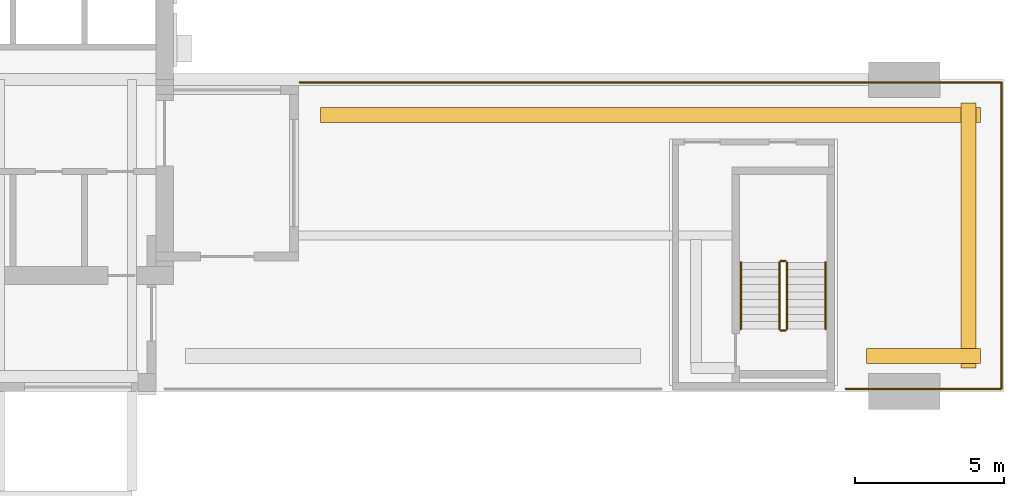
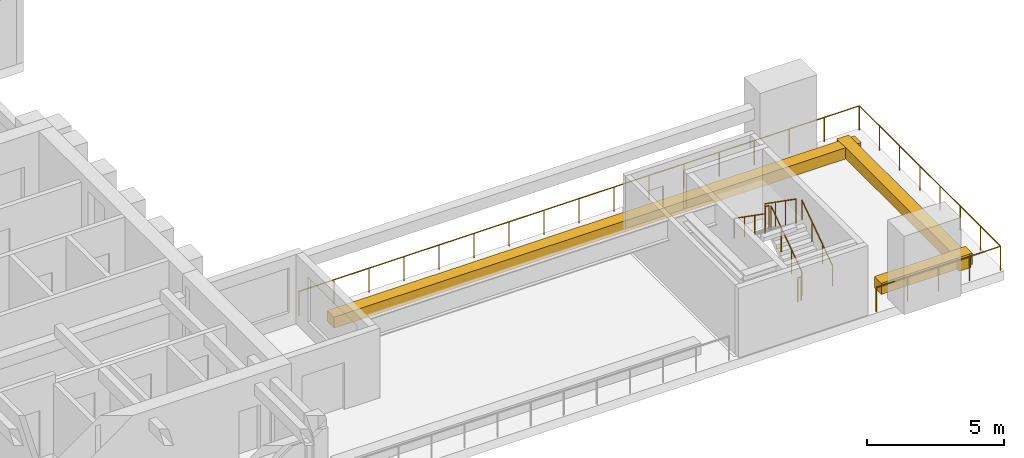
# One storey, part 8 of 9: 9 railings, 3 coverings.
"""IFC4 building model written with IfcOpenShell, lengths in metres."""

from ifc_helpers import new_model, si_unit, direction, frame, origin, origin_2d, place, context, subcontext, project, spatial, rectangle, circle, extrude, source, transform, mapped, material, type_object, element, save


model = new_model("IFC4")

# Units and contexts
model_context = context("Model", 3, precision=1e-05, world=origin(), true_north=direction((0.0, 1.0)))
body_context = subcontext(model_context, "Body", "Model", "MODEL_VIEW")
ifc_project = project(units=[si_unit("LENGTHUNIT", "METRE"), si_unit("AREAUNIT", "SQUARE_METRE"), si_unit("VOLUMEUNIT", "CUBIC_METRE"), si_unit("PLANEANGLEUNIT", "RADIAN"), si_unit("MASSUNIT", "GRAM", prefix="KILO")], contexts=[model_context])

# Site, building, storey
site_placement = place(None, origin())
site = spatial("IfcSite", under=ifc_project, at=site_placement, CompositionType="ELEMENT")
building_placement = place(site_placement, origin())
building = spatial("IfcBuilding", under=site, at=building_placement, Name="Aurelian Terraces", CompositionType="ELEMENT")
storey_placement = place(building_placement, frame((0.0, 0.0, 330.0)))
storey = spatial("IfcBuildingStorey", under=building, at=storey_placement, Name="L77", CompositionType="ELEMENT", Elevation=330.0)

# Railings
ifc_material_1 = material(Name="Anodised aluminium", Category="aluminium")
railing_type_1 = type_object("IfcRailingType", Name="GUARD-1100", PredefinedType="GUARDRAIL", material=ifc_material_1)
railing_1_placement = place(storey_placement, frame((25.85, 10.41, 0.0)))
element("IfcRailing", 1, at=railing_1_placement, inside=storey, type_object=railing_type_1, Name="Terrace guard L77 PORTAL-T1.2", PredefinedType="GUARDRAIL", context=body_context, shape_type="SweptSolid", body=[
    extrude(circle(Radius=0.024, at=origin_2d()), frame((0.0, 0.0, 1.076), z_axis=(1.0, 0.0, 0.0), x_axis=(0.0, 1.0, 0.0)), (0.0, 0.0, 1.0), 23.62),
    extrude(circle(Radius=0.021, at=origin_2d()), origin(), (0.0, 0.0, 1.0), 1.052),
    extrude(circle(Radius=0.021, at=origin_2d()), frame((1.4762, 0.0, 0.0)), (0.0, 0.0, 1.0), 1.052),
    extrude(circle(Radius=0.021, at=origin_2d()), frame((2.9525, 0.0, 0.0)), (0.0, 0.0, 1.0), 1.052),
    extrude(circle(Radius=0.021, at=origin_2d()), frame((4.4287, 0.0, 0.0)), (0.0, 0.0, 1.0), 1.052),
    extrude(circle(Radius=0.021, at=origin_2d()), frame((5.905, 0.0, 0.0)), (0.0, 0.0, 1.0), 1.052),
    extrude(circle(Radius=0.021, at=origin_2d()), frame((7.3812, 0.0, 0.0)), (0.0, 0.0, 1.0), 1.052),
    extrude(circle(Radius=0.021, at=origin_2d()), frame((8.8575, 0.0, 0.0)), (0.0, 0.0, 1.0), 1.052),
    extrude(circle(Radius=0.021, at=origin_2d()), frame((10.3337, 0.0, 0.0)), (0.0, 0.0, 1.0), 1.052),
    extrude(circle(Radius=0.021, at=origin_2d()), frame((11.81, 0.0, 0.0)), (0.0, 0.0, 1.0), 1.052),
    extrude(circle(Radius=0.021, at=origin_2d()), frame((13.2862, 0.0, 0.0)), (0.0, 0.0, 1.0), 1.052),
    extrude(circle(Radius=0.021, at=origin_2d()), frame((14.7625, 0.0, 0.0)), (0.0, 0.0, 1.0), 1.052),
    extrude(circle(Radius=0.021, at=origin_2d()), frame((16.2388, 0.0, 0.0)), (0.0, 0.0, 1.0), 1.052),
    extrude(circle(Radius=0.021, at=origin_2d()), frame((17.715, 0.0, 0.0)), (0.0, 0.0, 1.0), 1.052),
    extrude(circle(Radius=0.021, at=origin_2d()), frame((19.1912, 0.0, 0.0)), (0.0, 0.0, 1.0), 1.052),
    extrude(circle(Radius=0.021, at=origin_2d()), frame((20.6675, 0.0, 0.0)), (0.0, 0.0, 1.0), 1.052),
    extrude(circle(Radius=0.021, at=origin_2d()), frame((22.1437, 0.0, 0.0)), (0.0, 0.0, 1.0), 1.052),
    extrude(circle(Radius=0.021, at=origin_2d()), frame((23.62, 0.0, 0.0)), (0.0, 0.0, 1.0), 1.052),
])
railing_2_placement = place(storey_placement, frame((49.47, 10.41, 0.0)))
element("IfcRailing", 2, at=railing_2_placement, inside=storey, type_object=railing_type_1, Name="Terrace guard L77 PORTAL-T1.3", PredefinedType="GUARDRAIL", context=body_context, shape_type="SweptSolid", body=[
    extrude(circle(Radius=0.024, at=origin_2d()), frame((0.0, 0.0, 1.076), z_axis=(0.0, -1.0, 0.0), x_axis=(1.0, 0.0, 0.0)), (0.0, 0.0, 1.0), 10.32),
    extrude(circle(Radius=0.021, at=origin_2d()), origin(), (0.0, 0.0, 1.0), 1.052),
    extrude(circle(Radius=0.021, at=origin_2d()), frame((0.0, -1.4743, 0.0)), (0.0, 0.0, 1.0), 1.052),
    extrude(circle(Radius=0.021, at=origin_2d()), frame((0.0, -2.9486, 0.0)), (0.0, 0.0, 1.0), 1.052),
    extrude(circle(Radius=0.021, at=origin_2d()), frame((0.0, -4.4229, 0.0)), (0.0, 0.0, 1.0), 1.052),
    extrude(circle(Radius=0.021, at=origin_2d()), frame((0.0, -5.8971, 0.0)), (0.0, 0.0, 1.0), 1.052),
    extrude(circle(Radius=0.021, at=origin_2d()), frame((0.0, -7.3714, 0.0)), (0.0, 0.0, 1.0), 1.052),
    extrude(circle(Radius=0.021, at=origin_2d()), frame((0.0, -8.8457, 0.0)), (0.0, 0.0, 1.0), 1.052),
    extrude(circle(Radius=0.021, at=origin_2d()), frame((0.0, -10.32, 0.0)), (0.0, 0.0, 1.0), 1.052),
])
railing_3_placement = place(storey_placement, frame((49.47, 0.09, 0.0)))
element("IfcRailing", 3, at=railing_3_placement, inside=storey, type_object=railing_type_1, Name="Terrace guard L77 PORTAL-T1.4", PredefinedType="GUARDRAIL", context=body_context, shape_type="SweptSolid", body=[
    extrude(circle(Radius=0.024, at=origin_2d()), frame((0.0, 0.0, 1.076), z_axis=(-1.0, 0.0, 0.0), x_axis=(0.0, -1.0, 0.0)), (0.0, 0.0, 1.0), 5.2411),
    extrude(circle(Radius=0.021, at=origin_2d()), origin(), (0.0, 0.0, 1.0), 1.052),
    extrude(circle(Radius=0.021, at=origin_2d()), frame((-1.3103, 0.0, 0.0)), (0.0, 0.0, 1.0), 1.052),
    extrude(circle(Radius=0.021, at=origin_2d()), frame((-2.6205, 0.0, 0.0)), (0.0, 0.0, 1.0), 1.052),
    extrude(circle(Radius=0.021, at=origin_2d()), frame((-3.9308, 0.0, 0.0)), (0.0, 0.0, 1.0), 1.052),
    extrude(circle(Radius=0.021, at=origin_2d()), frame((-5.2411, 0.0, 0.0)), (0.0, 0.0, 1.0), 1.052),
])

# Coverings
ifc_material_2 = material(Name="Terracotta planter with planting soil", Category="masonry")
covering_type = type_object("IfcCoveringType", Name="PLANTER-TROUGH", PredefinedType="USERDEFINED", material=ifc_material_2)
covering_1_placement = place(storey_placement, frame((37.66, 9.31, 0.0), z_axis=(0.0, 0.0, 1.0), x_axis=(1.0, 0.0, 0.0)))
element("IfcCovering", 4, at=covering_1_placement, inside=storey, type_object=covering_type, Name="PLANTER L77 terrace PORTAL-T1-1.1", ObjectType="PLANTER", PredefinedType="USERDEFINED", context=body_context, shape_type="SweptSolid", body=[
    extrude(rectangle(XDim=22.22, YDim=0.5, at=origin_2d()), origin(), (0.0, 0.0, 1.0), 0.5),
])
covering_2_placement = place(storey_placement, frame((48.37, 5.25, 0.0), z_axis=(0.0, 0.0, 1.0), x_axis=(1.0, 0.0, 0.0)))
element("IfcCovering", 5, at=covering_2_placement, inside=storey, type_object=covering_type, Name="PLANTER L77 terrace PORTAL-T1-2.1", ObjectType="PLANTER", PredefinedType="USERDEFINED", context=body_context, shape_type="SweptSolid", body=[
    extrude(rectangle(XDim=0.5, YDim=8.92, at=origin_2d()), origin(), (0.0, 0.0, 1.0), 0.5),
])
covering_3_placement = place(storey_placement, frame((46.8494, 1.19, 0.0), z_axis=(0.0, 0.0, 1.0), x_axis=(1.0, 0.0, 0.0)))
element("IfcCovering", 6, at=covering_3_placement, inside=storey, type_object=covering_type, Name="PLANTER L77 terrace PORTAL-T1-3.1", ObjectType="PLANTER", PredefinedType="USERDEFINED", context=body_context, shape_type="SweptSolid", body=[
    extrude(rectangle(XDim=3.8411, YDim=0.5, at=origin_2d()), origin(), (0.0, 0.0, 1.0), 0.5),
])

# Railings
ifc_material_3 = material(Name="Stainless steel", Category="steel")
railing_type_2 = type_object("IfcRailingType", Name="Stair guard 1100", PredefinedType="GUARDRAIL", material=ifc_material_3)
shared_shape_1 = source(origin(), body_context, "Body", "SweptSolid", [
    extrude(circle(Radius=0.024, at=origin_2d()), frame((0.0, 0.0, 1.076), z_axis=(-1.0, 0.0, 0.0), x_axis=(0.0, -1.0, 0.0)), (0.0, 0.0, 1.0), 0.15),
    extrude(circle(Radius=0.021, at=origin_2d()), origin(), (0.0, 0.0, 1.0), 1.052),
    extrude(circle(Radius=0.021, at=origin_2d()), frame((-0.15, 0.0, 0.0)), (0.0, 0.0, 1.0), 1.052),
])
for number, where, name in (
    (7, (42.2, 4.4, 1.75), "L77 S2 stair guard 2"),
    (8, (42.2, 2.05, 0.0), "L77 S2 stair guard 4"),
):
    element("IfcRailing", number, at=place(storey_placement, frame(where)), inside=storey, type_object=railing_type_2, Name=name, PredefinedType="GUARDRAIL", context=body_context, shape_type="MappedRepresentation", body=[
        mapped(shared_shape_1, transform((0.0, 0.0, 0.0), scale=1.0)),
    ])
shared_shape_2 = source(origin(), body_context, "Body", "SweptSolid", [
    extrude(circle(Radius=0.024, at=origin_2d()), frame((0.0, 0.0, 1.076), z_axis=(0.0, 0.819231920519, 0.573462344363), x_axis=(-1.0, 0.0, 0.0)), (0.0, 0.0, 1.0), 2.7465),
    extrude(circle(Radius=0.021, at=origin_2d()), origin(), (0.0, 0.0, 1.0), 1.052),
    extrude(circle(Radius=0.021, at=origin_2d()), frame((0.0, 0.75, 0.525)), (0.0, 0.0, 1.0), 1.052),
    extrude(circle(Radius=0.021, at=origin_2d()), frame((0.0, 1.5, 1.05)), (0.0, 0.0, 1.0), 1.052),
    extrude(circle(Radius=0.021, at=origin_2d()), frame((0.0, 2.25, 1.575)), (0.0, 0.0, 1.0), 1.052),
])
railing_4_placement = place(storey_placement, frame((42.25, 2.1, 0.175)))
element("IfcRailing", 9, at=railing_4_placement, inside=storey, type_object=railing_type_2, Name="L77 S2 stair guard 1", PredefinedType="GUARDRAIL", context=body_context, shape_type="MappedRepresentation", body=[
    mapped(shared_shape_2, transform((0.0, 0.0, 0.0), scale=1.0)),
])
shared_shape_3 = source(origin(), body_context, "Body", "SweptSolid", [
    extrude(circle(Radius=0.024, at=origin_2d()), frame((0.0, 0.0, 1.076), z_axis=(0.0, -0.819231920519, 0.573462344363), x_axis=(1.0, 0.0, 0.0)), (0.0, 0.0, 1.0), 2.7465),
    extrude(circle(Radius=0.021, at=origin_2d()), origin(), (0.0, 0.0, 1.0), 1.052),
    extrude(circle(Radius=0.021, at=origin_2d()), frame((0.0, -0.75, 0.525)), (0.0, 0.0, 1.0), 1.052),
    extrude(circle(Radius=0.021, at=origin_2d()), frame((0.0, -1.5, 1.05)), (0.0, 0.0, 1.0), 1.052),
    extrude(circle(Radius=0.021, at=origin_2d()), frame((0.0, -2.25, 1.575)), (0.0, 0.0, 1.0), 1.052),
])
railing_5_placement = place(storey_placement, frame((42.0, 4.35, 1.925)))
element("IfcRailing", 10, at=railing_5_placement, inside=storey, type_object=railing_type_2, Name="L77 S2 stair guard 3", PredefinedType="GUARDRAIL", context=body_context, shape_type="MappedRepresentation", body=[
    mapped(shared_shape_3, transform((0.0, 0.0, 0.0), scale=1.0)),
])
railing_type_3 = type_object("IfcRailingType", Name="Stair handrail", PredefinedType="HANDRAIL", material=ifc_material_3)
shared_shape_4 = source(origin(), body_context, "Body", "SweptSolid", [
    extrude(circle(Radius=0.024, at=origin_2d()), frame((0.0, 0.0, 0.876), z_axis=(0.0, 0.819231920519, 0.573462344363), x_axis=(-1.0, 0.0, 0.0)), (0.0, 0.0, 1.0), 2.7465),
    extrude(circle(Radius=0.021, at=origin_2d()), origin(), (0.0, 0.0, 1.0), 0.852),
    extrude(circle(Radius=0.021, at=origin_2d()), frame((0.0, 0.75, 0.525)), (0.0, 0.0, 1.0), 0.852),
    extrude(circle(Radius=0.021, at=origin_2d()), frame((0.0, 1.5, 1.05)), (0.0, 0.0, 1.0), 0.852),
    extrude(circle(Radius=0.021, at=origin_2d()), frame((0.0, 2.25, 1.575)), (0.0, 0.0, 1.0), 0.852),
])
railing_6_placement = place(storey_placement, frame((43.55, 2.1, 0.175)))
element("IfcRailing", 11, at=railing_6_placement, inside=storey, type_object=railing_type_3, Name="L77 S2 stair handrail 1", PredefinedType="HANDRAIL", context=body_context, shape_type="MappedRepresentation", body=[
    mapped(shared_shape_4, transform((0.0, 0.0, 0.0), scale=1.0)),
])
shared_shape_5 = source(origin(), body_context, "Body", "SweptSolid", [
    extrude(circle(Radius=0.024, at=origin_2d()), frame((0.0, 0.0, 0.876), z_axis=(0.0, -0.819231920519, 0.573462344363), x_axis=(1.0, 0.0, 0.0)), (0.0, 0.0, 1.0), 2.7465),
    extrude(circle(Radius=0.021, at=origin_2d()), origin(), (0.0, 0.0, 1.0), 0.852),
    extrude(circle(Radius=0.021, at=origin_2d()), frame((0.0, -0.75, 0.525)), (0.0, 0.0, 1.0), 0.852),
    extrude(circle(Radius=0.021, at=origin_2d()), frame((0.0, -1.5, 1.05)), (0.0, 0.0, 1.0), 0.852),
    extrude(circle(Radius=0.021, at=origin_2d()), frame((0.0, -2.25, 1.575)), (0.0, 0.0, 1.0), 0.852),
])
railing_7_placement = place(storey_placement, frame((40.7, 4.35, 1.925)))
element("IfcRailing", 12, at=railing_7_placement, inside=storey, type_object=railing_type_3, Name="L77 S2 stair handrail 2", PredefinedType="HANDRAIL", context=body_context, shape_type="MappedRepresentation", body=[
    mapped(shared_shape_5, transform((0.0, 0.0, 0.0), scale=1.0)),
])

save(model, "model.ifc")
